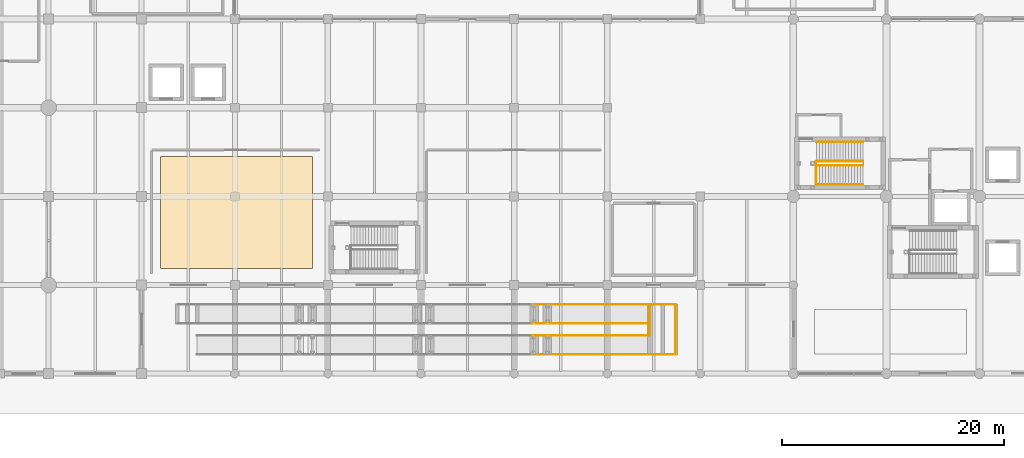
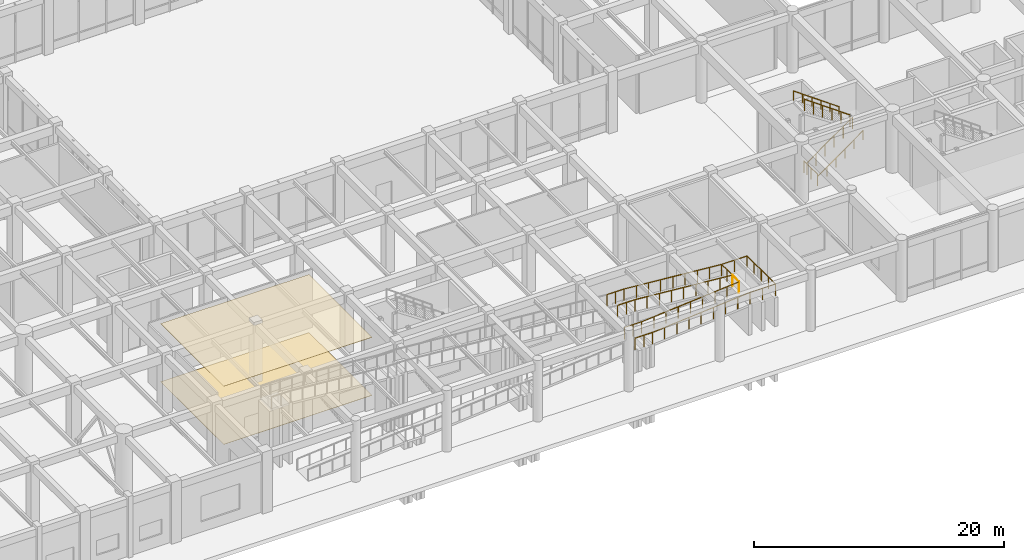
# One storey, part 70 of 76: 18 railings, 2 coverings.
"""IFC4 building model written with IfcOpenShell, lengths in metres."""

from ifc_helpers import new_model, si_unit, direction, frame, origin, origin_2d, place, context, subcontext, project, spatial, polyline, circle, outline, extrude, material, layer, layer_set, type_object, element, save


model = new_model("IFC4")

# Units and contexts
model_context = context("Model", 3, precision=1e-05, world=origin(), true_north=direction((0.0, 1.0)))
body_context = subcontext(model_context, "Body", "Model", "MODEL_VIEW")
ifc_project = project(units=[si_unit("LENGTHUNIT", "METRE"), si_unit("AREAUNIT", "SQUARE_METRE"), si_unit("VOLUMEUNIT", "CUBIC_METRE"), si_unit("PLANEANGLEUNIT", "RADIAN"), si_unit("MASSUNIT", "GRAM", prefix="KILO")], contexts=[model_context])

# Site, building, storey
site_placement = place(None, origin())
site = spatial("IfcSite", under=ifc_project, at=site_placement, CompositionType="ELEMENT")
building_placement = place(site_placement, origin())
building = spatial("IfcBuilding", under=site, at=building_placement, Name="Naruveol Harbour Congress Hotel", CompositionType="ELEMENT")
storey_placement = place(building_placement, origin())
storey = spatial("IfcBuildingStorey", under=building, at=storey_placement, Name="L00", CompositionType="ELEMENT", Elevation=0.0)

# Railings
ifc_material_1 = material(Name="Steel SN490", Category="steel")
ifc_layer_1 = layer(ifc_material_1, 0.050048828125)
ifc_layer_set_1 = layer_set([ifc_layer_1], Name="Steel SN490")
railing_type_1 = type_object("IfcRailingType", Name="GALVANISED STEEL DECK GUARDRAIL 1150", PredefinedType="GUARDRAIL", material=ifc_layer_set_1)
railing_1_placement = place(storey_placement, frame((94.0, 1.739990234375, 2.25)))
element("IfcRailing", 1, at=railing_1_placement, inside=storey, type_object=railing_type_1, Name="Ramp east run south guard #13", PredefinedType="GUARDRAIL", context=body_context, shape_type="SweptSolid", body=[
    extrude(circle(Radius=0.02392578125, at=origin_2d()), frame((0.0, 0.0, 1.1259765625), z_axis=(1.0, 0.0, 0.0), x_axis=(0.0, 1.0, 0.0)), (0.0, 0.0, 1.0), 1.60009765625),
    extrude(circle(Radius=0.02099609375, at=origin_2d()), origin(), (0.0, 0.0, 1.0), 1.101806640625),
    extrude(circle(Radius=0.02099609375, at=origin_2d()), frame((0.800048828125, 0.0, 0.0)), (0.0, 0.0, 1.0), 1.101806640625),
    extrude(circle(Radius=0.02099609375, at=origin_2d()), frame((1.60009765625, 0.0, 0.0)), (0.0, 0.0, 1.0), 1.101806640625),
])
railing_2_placement = place(storey_placement, frame((95.60009765625, 1.739990234375, 2.25)))
element("IfcRailing", 2, at=railing_2_placement, inside=storey, type_object=railing_type_1, Name="Ramp east run south guard #14", PredefinedType="GUARDRAIL", context=body_context, shape_type="SweptSolid", body=[
    extrude(circle(Radius=0.02392578125, at=origin_2d()), frame((0.0, 0.0, 1.1259765625), z_axis=(0.996545758245, 0.0, 0.083045479854), x_axis=(0.0, 1.0, 0.0)), (0.0, 0.0, 1.0), 9.03125),
    extrude(circle(Radius=0.02099609375, at=origin_2d()), origin(), (0.0, 0.0, 1.0), 1.101806640625),
    extrude(circle(Radius=0.02099609375, at=origin_2d()), frame((1.125, 0.0, 0.09375)), (0.0, 0.0, 1.0), 1.101806640625),
    extrude(circle(Radius=0.02099609375, at=origin_2d()), frame((2.25, 0.0, 0.1875)), (0.0, 0.0, 1.0), 1.101806640625),
    extrude(circle(Radius=0.02099609375, at=origin_2d()), frame((3.375, 0.0, 0.28125)), (0.0, 0.0, 1.0), 1.101806640625),
    extrude(circle(Radius=0.02099609375, at=origin_2d()), frame((4.5, 0.0, 0.375)), (0.0, 0.0, 1.0), 1.101806640625),
    extrude(circle(Radius=0.02099609375, at=origin_2d()), frame((5.625, 0.0, 0.46875)), (0.0, 0.0, 1.0), 1.101806640625),
    extrude(circle(Radius=0.02099609375, at=origin_2d()), frame((6.75, 0.0, 0.5625)), (0.0, 0.0, 1.0), 1.101806640625),
    extrude(circle(Radius=0.02099609375, at=origin_2d()), frame((7.875, 0.0, 0.65625)), (0.0, 0.0, 1.0), 1.101806640625),
    extrude(circle(Radius=0.02099609375, at=origin_2d()), frame((9.0, 0.0, 0.75)), (0.0, 0.0, 1.0), 1.101806640625),
])
railing_3_placement = place(storey_placement, frame((94.0, 3.4599609375, 2.25)))
element("IfcRailing", 3, at=railing_3_placement, inside=storey, type_object=railing_type_1, Name="Ramp east run inner guard #20", PredefinedType="GUARDRAIL", context=body_context, shape_type="SweptSolid", body=[
    extrude(circle(Radius=0.02392578125, at=origin_2d()), frame((0.0, 0.0, 1.1259765625), z_axis=(1.0, 0.0, 0.0), x_axis=(0.0, 1.0, 0.0)), (0.0, 0.0, 1.0), 1.60009765625),
    extrude(circle(Radius=0.02099609375, at=origin_2d()), origin(), (0.0, 0.0, 1.0), 1.101806640625),
    extrude(circle(Radius=0.02099609375, at=origin_2d()), frame((0.800048828125, 0.0, 0.0)), (0.0, 0.0, 1.0), 1.101806640625),
    extrude(circle(Radius=0.02099609375, at=origin_2d()), frame((1.60009765625, 0.0, 0.0)), (0.0, 0.0, 1.0), 1.101806640625),
])
railing_4_placement = place(storey_placement, frame((95.60009765625, 3.4599609375, 2.25)))
element("IfcRailing", 4, at=railing_4_placement, inside=storey, type_object=railing_type_1, Name="Ramp east run inner guard #21", PredefinedType="GUARDRAIL", context=body_context, shape_type="SweptSolid", body=[
    extrude(circle(Radius=0.02392578125, at=origin_2d()), frame((0.0, 0.0, 1.1259765625), z_axis=(0.996545758245, 0.0, 0.083045479854), x_axis=(0.0, 1.0, 0.0)), (0.0, 0.0, 1.0), 9.03125),
    extrude(circle(Radius=0.02099609375, at=origin_2d()), origin(), (0.0, 0.0, 1.0), 1.101806640625),
    extrude(circle(Radius=0.02099609375, at=origin_2d()), frame((1.125, 0.0, 0.09375)), (0.0, 0.0, 1.0), 1.101806640625),
    extrude(circle(Radius=0.02099609375, at=origin_2d()), frame((2.25, 0.0, 0.1875)), (0.0, 0.0, 1.0), 1.101806640625),
    extrude(circle(Radius=0.02099609375, at=origin_2d()), frame((3.375, 0.0, 0.28125)), (0.0, 0.0, 1.0), 1.101806640625),
    extrude(circle(Radius=0.02099609375, at=origin_2d()), frame((4.5, 0.0, 0.375)), (0.0, 0.0, 1.0), 1.101806640625),
    extrude(circle(Radius=0.02099609375, at=origin_2d()), frame((5.625, 0.0, 0.46875)), (0.0, 0.0, 1.0), 1.101806640625),
    extrude(circle(Radius=0.02099609375, at=origin_2d()), frame((6.75, 0.0, 0.5625)), (0.0, 0.0, 1.0), 1.101806640625),
    extrude(circle(Radius=0.02099609375, at=origin_2d()), frame((7.875, 0.0, 0.65625)), (0.0, 0.0, 1.0), 1.101806640625),
    extrude(circle(Radius=0.02099609375, at=origin_2d()), frame((9.0, 0.0, 0.75)), (0.0, 0.0, 1.0), 1.101806640625),
])
railing_5_placement = place(storey_placement, frame((104.60009765625, 1.739990234375, 3.0)))
element("IfcRailing", 5, at=railing_5_placement, inside=storey, type_object=railing_type_1, Name="Ramp mid-landing guard #22", PredefinedType="GUARDRAIL", context=body_context, shape_type="SweptSolid", body=[
    extrude(circle(Radius=0.02392578125, at=origin_2d()), frame((0.0, 0.0, 1.1259765625), z_axis=(1.0, 0.0, 0.0), x_axis=(0.0, 1.0, 0.0)), (0.0, 0.0, 1.0), 2.349853515625),
    extrude(circle(Radius=0.02099609375, at=origin_2d()), origin(), (0.0, 0.0, 1.0), 1.101806640625),
    extrude(circle(Radius=0.02099609375, at=origin_2d()), frame((1.1748046875, 0.0, 0.0)), (0.0, 0.0, 1.0), 1.101806640625),
    extrude(circle(Radius=0.02099609375, at=origin_2d()), frame((2.349853515625, 0.0, 0.0)), (0.0, 0.0, 1.0), 1.101806640625),
])
railing_6_placement = place(storey_placement, frame((106.949951171875, 1.739990234375, 3.0)))
element("IfcRailing", 6, at=railing_6_placement, inside=storey, type_object=railing_type_1, Name="Ramp mid-landing guard #23", PredefinedType="GUARDRAIL", context=body_context, shape_type="SweptSolid", body=[
    extrude(circle(Radius=0.02392578125, at=origin_2d()), frame((0.0, 0.0, 1.1259765625), z_axis=(0.0, 1.0, 0.0), x_axis=(-1.0, 0.0, 0.0)), (0.0, 0.0, 1.0), 4.52001953125),
    extrude(circle(Radius=0.02099609375, at=origin_2d()), origin(), (0.0, 0.0, 1.0), 1.101806640625),
    extrude(circle(Radius=0.02099609375, at=origin_2d()), frame((0.0, 1.1298828125, 0.0)), (0.0, 0.0, 1.0), 1.101806640625),
    extrude(circle(Radius=0.02099609375, at=origin_2d()), frame((0.0, 2.260009765625, 0.0)), (0.0, 0.0, 1.0), 1.101806640625),
    extrude(circle(Radius=0.02099609375, at=origin_2d()), frame((0.0, 3.39013671875, 0.0)), (0.0, 0.0, 1.0), 1.101806640625),
    extrude(circle(Radius=0.02099609375, at=origin_2d()), frame((0.0, 4.52001953125, 0.0)), (0.0, 0.0, 1.0), 1.101806640625),
])
railing_7_placement = place(storey_placement, frame((106.949951171875, 6.260009765625, 3.0)))
element("IfcRailing", 7, at=railing_7_placement, inside=storey, type_object=railing_type_1, Name="Ramp mid-landing guard #24", PredefinedType="GUARDRAIL", context=body_context, shape_type="SweptSolid", body=[
    extrude(circle(Radius=0.02392578125, at=origin_2d()), frame((0.0, 0.0, 1.1259765625), z_axis=(-1.0, 0.0, 0.0), x_axis=(0.0, -1.0, 0.0)), (0.0, 0.0, 1.0), 2.349853515625),
    extrude(circle(Radius=0.02099609375, at=origin_2d()), origin(), (0.0, 0.0, 1.0), 1.101806640625),
    extrude(circle(Radius=0.02099609375, at=origin_2d()), frame((-1.1748046875, 0.0, 0.0)), (0.0, 0.0, 1.0), 1.101806640625),
    extrude(circle(Radius=0.02099609375, at=origin_2d()), frame((-2.349853515625, 0.0, 0.0)), (0.0, 0.0, 1.0), 1.101806640625),
])
railing_8_placement = place(storey_placement, frame((104.60009765625, 6.260009765625, 3.0)))
element("IfcRailing", 8, at=railing_8_placement, inside=storey, type_object=railing_type_1, Name="Ramp mid-landing guard #25", PredefinedType="GUARDRAIL", context=body_context, shape_type="SweptSolid", body=[
    extrude(circle(Radius=0.02392578125, at=origin_2d()), frame((0.0, 0.0, 1.1259765625), z_axis=(0.0, -1.0, 0.0), x_axis=(1.0, 0.0, 0.0)), (0.0, 0.0, 1.0), 1.719970703125),
    extrude(circle(Radius=0.02099609375, at=origin_2d()), origin(), (0.0, 0.0, 1.0), 1.101806640625),
    extrude(circle(Radius=0.02099609375, at=origin_2d()), frame((0.0, -0.85986328125, 0.0)), (0.0, 0.0, 1.0), 1.101806640625),
    extrude(circle(Radius=0.02099609375, at=origin_2d()), frame((0.0, -1.719970703125, 0.0)), (0.0, 0.0, 1.0), 1.101806640625),
])
railing_9_placement = place(storey_placement, frame((104.60009765625, 4.5400390625, 3.0)))
element("IfcRailing", 9, at=railing_9_placement, inside=storey, type_object=railing_type_1, Name="Ramp mid-landing guard #26", PredefinedType="GUARDRAIL", context=body_context, shape_type="SweptSolid", body=[
    extrude(circle(Radius=0.02392578125, at=origin_2d()), frame((0.0, 0.0, 1.1259765625), z_axis=(0.0, -1.0, 0.0), x_axis=(1.0, 0.0, 0.0)), (0.0, 0.0, 1.0), 1.080078125),
    extrude(circle(Radius=0.02099609375, at=origin_2d()), origin(), (0.0, 0.0, 1.0), 1.101806640625),
    extrude(circle(Radius=0.02099609375, at=origin_2d()), frame((0.0, -1.080078125, 0.0)), (0.0, 0.0, 1.0), 1.101806640625),
])
railing_10_placement = place(storey_placement, frame((104.60009765625, 4.5400390625, 3.0)))
element("IfcRailing", 10, at=railing_10_placement, inside=storey, type_object=railing_type_1, Name="Ramp west run inner guard #27", PredefinedType="GUARDRAIL", context=body_context, shape_type="SweptSolid", body=[
    extrude(circle(Radius=0.02392578125, at=origin_2d()), frame((0.0, 0.0, 1.1259765625), z_axis=(-0.996545758245, 0.0, 0.083045479854), x_axis=(0.0, -1.0, 0.0)), (0.0, 0.0, 1.0), 9.03125),
    extrude(circle(Radius=0.02099609375, at=origin_2d()), origin(), (0.0, 0.0, 1.0), 1.101806640625),
    extrude(circle(Radius=0.02099609375, at=origin_2d()), frame((-1.125, 0.0, 0.09375)), (0.0, 0.0, 1.0), 1.101806640625),
    extrude(circle(Radius=0.02099609375, at=origin_2d()), frame((-2.25, 0.0, 0.1875)), (0.0, 0.0, 1.0), 1.101806640625),
    extrude(circle(Radius=0.02099609375, at=origin_2d()), frame((-3.375, 0.0, 0.28125)), (0.0, 0.0, 1.0), 1.101806640625),
    extrude(circle(Radius=0.02099609375, at=origin_2d()), frame((-4.5, 0.0, 0.375)), (0.0, 0.0, 1.0), 1.101806640625),
    extrude(circle(Radius=0.02099609375, at=origin_2d()), frame((-5.625, 0.0, 0.46875)), (0.0, 0.0, 1.0), 1.101806640625),
    extrude(circle(Radius=0.02099609375, at=origin_2d()), frame((-6.75, 0.0, 0.5625)), (0.0, 0.0, 1.0), 1.101806640625),
    extrude(circle(Radius=0.02099609375, at=origin_2d()), frame((-7.875, 0.0, 0.65625)), (0.0, 0.0, 1.0), 1.101806640625),
    extrude(circle(Radius=0.02099609375, at=origin_2d()), frame((-9.0, 0.0, 0.75)), (0.0, 0.0, 1.0), 1.101806640625),
])
railing_11_placement = place(storey_placement, frame((95.60009765625, 4.5400390625, 3.75)))
element("IfcRailing", 11, at=railing_11_placement, inside=storey, type_object=railing_type_1, Name="Ramp west run inner guard #28", PredefinedType="GUARDRAIL", context=body_context, shape_type="SweptSolid", body=[
    extrude(circle(Radius=0.02392578125, at=origin_2d()), frame((0.0, 0.0, 1.1259765625), z_axis=(-1.0, 0.0, 0.0), x_axis=(0.0, -1.0, 0.0)), (0.0, 0.0, 1.0), 1.60009765625),
    extrude(circle(Radius=0.02099609375, at=origin_2d()), origin(), (0.0, 0.0, 1.0), 1.101806640625),
    extrude(circle(Radius=0.02099609375, at=origin_2d()), frame((-0.800048828125, 0.0, 0.0)), (0.0, 0.0, 1.0), 1.101806640625),
    extrude(circle(Radius=0.02099609375, at=origin_2d()), frame((-1.60009765625, 0.0, 0.0)), (0.0, 0.0, 1.0), 1.101806640625),
])
railing_12_placement = place(storey_placement, frame((104.60009765625, 6.260009765625, 3.0)))
element("IfcRailing", 12, at=railing_12_placement, inside=storey, type_object=railing_type_1, Name="Ramp west run north guard #35", PredefinedType="GUARDRAIL", context=body_context, shape_type="SweptSolid", body=[
    extrude(circle(Radius=0.02392578125, at=origin_2d()), frame((0.0, 0.0, 1.1259765625), z_axis=(-0.996545758245, 0.0, 0.083045479854), x_axis=(0.0, -1.0, 0.0)), (0.0, 0.0, 1.0), 9.03125),
    extrude(circle(Radius=0.02099609375, at=origin_2d()), origin(), (0.0, 0.0, 1.0), 1.101806640625),
    extrude(circle(Radius=0.02099609375, at=origin_2d()), frame((-1.125, 0.0, 0.09375)), (0.0, 0.0, 1.0), 1.101806640625),
    extrude(circle(Radius=0.02099609375, at=origin_2d()), frame((-2.25, 0.0, 0.1875)), (0.0, 0.0, 1.0), 1.101806640625),
    extrude(circle(Radius=0.02099609375, at=origin_2d()), frame((-3.375, 0.0, 0.28125)), (0.0, 0.0, 1.0), 1.101806640625),
    extrude(circle(Radius=0.02099609375, at=origin_2d()), frame((-4.5, 0.0, 0.375)), (0.0, 0.0, 1.0), 1.101806640625),
    extrude(circle(Radius=0.02099609375, at=origin_2d()), frame((-5.625, 0.0, 0.46875)), (0.0, 0.0, 1.0), 1.101806640625),
    extrude(circle(Radius=0.02099609375, at=origin_2d()), frame((-6.75, 0.0, 0.5625)), (0.0, 0.0, 1.0), 1.101806640625),
    extrude(circle(Radius=0.02099609375, at=origin_2d()), frame((-7.875, 0.0, 0.65625)), (0.0, 0.0, 1.0), 1.101806640625),
    extrude(circle(Radius=0.02099609375, at=origin_2d()), frame((-9.0, 0.0, 0.75)), (0.0, 0.0, 1.0), 1.101806640625),
])
railing_13_placement = place(storey_placement, frame((95.60009765625, 6.260009765625, 3.75)))
element("IfcRailing", 13, at=railing_13_placement, inside=storey, type_object=railing_type_1, Name="Ramp west run north guard #36", PredefinedType="GUARDRAIL", context=body_context, shape_type="SweptSolid", body=[
    extrude(circle(Radius=0.02392578125, at=origin_2d()), frame((0.0, 0.0, 1.1259765625), z_axis=(-1.0, 0.0, 0.0), x_axis=(0.0, -1.0, 0.0)), (0.0, 0.0, 1.0), 1.60009765625),
    extrude(circle(Radius=0.02099609375, at=origin_2d()), origin(), (0.0, 0.0, 1.0), 1.101806640625),
    extrude(circle(Radius=0.02099609375, at=origin_2d()), frame((-0.800048828125, 0.0, 0.0)), (0.0, 0.0, 1.0), 1.101806640625),
    extrude(circle(Radius=0.02099609375, at=origin_2d()), frame((-1.60009765625, 0.0, 0.0)), (0.0, 0.0, 1.0), 1.101806640625),
])

# Covering
ifc_material_2 = material(Name="Polished Terrazzo & Engineered Oak", Category="stone")
ifc_layer_2 = layer(ifc_material_2, 0.02490234375)
ifc_layer_set_2 = layer_set([ifc_layer_2], Name="Polished Terrazzo & Engineered Oak")
covering_type_1 = type_object("IfcCoveringType", Name="POLISHED TERRAZZO AND OAK FLOORING 25", PredefinedType="FLOORING", material=ifc_layer_set_2)
covering_1_placement = place(storey_placement, origin())
element("IfcCovering", 14, at=covering_1_placement, inside=storey, type_object=covering_type_1, Name="Brasserie Acoustic Timber Flooring", PredefinedType="FLOORING", context=body_context, shape_type="SweptSolid", body=[
    extrude(outline(polyline([(60.5, 9.5), (74.199951171875, 9.5), (74.199951171875, 19.60009765625), (60.5, 19.60009765625), (60.5, 9.5)])), origin(), (0.0, 0.0, 1.0), 0.02490234375),
])

# Railings
ifc_material_3 = material(Name="Stainless Steel 304", Category="steel")
ifc_layer_3 = layer(ifc_material_3, 0.0419921875)
ifc_layer_set_3 = layer_set([ifc_layer_3], Name="Stainless Steel 304")
railing_type_2 = type_object("IfcRailingType", Name="STAIR WALL MOUNTED HANDRAIL 900", PredefinedType="HANDRAIL", material=ifc_layer_set_3)
railing_14_placement = place(storey_placement, frame((119.699951171875, 17.06005859375, 0.0)))
element("IfcRailing", 15, at=railing_14_placement, inside=storey, type_object=railing_type_2, Name="Stair ST3 L00 lower wall handrail", PredefinedType="HANDRAIL", context=body_context, shape_type="SweptSolid", body=[
    extrude(circle(Radius=0.02392578125, at=origin_2d()), frame((0.0, 0.0, 0.8759765625), z_axis=(0.813730275137, 0.0, 0.581242668191), x_axis=(0.0, 1.0, 0.0)), (0.0, 0.0, 1.0), 5.161376953125),
    extrude(circle(Radius=0.02099609375, at=origin_2d()), origin(), (0.0, 0.0, 1.0), 0.851806640625),
    extrude(circle(Radius=0.02099609375, at=origin_2d()), frame((0.840087890625, 0.0, 0.60009765625)), (0.0, 0.0, 1.0), 0.851806640625),
    extrude(circle(Radius=0.02099609375, at=origin_2d()), frame((1.679931640625, 0.0, 1.199951171875)), (0.0, 0.0, 1.0), 0.851806640625),
    extrude(circle(Radius=0.02099609375, at=origin_2d()), frame((2.52001953125, 0.0, 1.800048828125)), (0.0, 0.0, 1.0), 0.851806640625),
    extrude(circle(Radius=0.02099609375, at=origin_2d()), frame((3.35986328125, 0.0, 2.39990234375)), (0.0, 0.0, 1.0), 0.851806640625),
    extrude(circle(Radius=0.02099609375, at=origin_2d()), frame((4.199951171875, 0.0, 3.0)), (0.0, 0.0, 1.0), 0.851806640625),
])
railing_15_placement = place(storey_placement, frame((123.89990234375, 20.89990234375, 3.0)))
element("IfcRailing", 16, at=railing_15_placement, inside=storey, type_object=railing_type_2, Name="Stair ST3 L00 upper wall handrail", PredefinedType="HANDRAIL", context=body_context, shape_type="SweptSolid", body=[
    extrude(circle(Radius=0.02392578125, at=origin_2d()), frame((0.0, 0.0, 0.8759765625), z_axis=(-0.813730275137, 0.0, 0.581242668191), x_axis=(0.0, -1.0, 0.0)), (0.0, 0.0, 1.0), 5.161376953125),
    extrude(circle(Radius=0.02099609375, at=origin_2d()), origin(), (0.0, 0.0, 1.0), 0.851806640625),
    extrude(circle(Radius=0.02099609375, at=origin_2d()), frame((-0.840087890625, 0.0, 0.60009765625)), (0.0, 0.0, 1.0), 0.851806640625),
    extrude(circle(Radius=0.02099609375, at=origin_2d()), frame((-1.679931640625, 0.0, 1.199951171875)), (0.0, 0.0, 1.0), 0.851806640625),
    extrude(circle(Radius=0.02099609375, at=origin_2d()), frame((-2.52001953125, 0.0, 1.800048828125)), (0.0, 0.0, 1.0), 0.851806640625),
    extrude(circle(Radius=0.02099609375, at=origin_2d()), frame((-3.35986328125, 0.0, 2.39990234375)), (0.0, 0.0, 1.0), 0.851806640625),
    extrude(circle(Radius=0.02099609375, at=origin_2d()), frame((-4.199951171875, 0.0, 3.0)), (0.0, 0.0, 1.0), 0.851806640625),
])
ifc_material_4 = material(Name="Steel SN490", Category="steel")
ifc_layer_4 = layer(ifc_material_4, 0.044921875)
ifc_layer_set_4 = layer_set([ifc_layer_4], Name="Steel SN490")
railing_type_3 = type_object("IfcRailingType", Name="STAIRWELL STEEL GUARDRAIL 1150", PredefinedType="GUARDRAIL", material=ifc_layer_set_4)
railing_16_placement = place(storey_placement, frame((119.699951171875, 18.7900390625, 0.0)))
element("IfcRailing", 17, at=railing_16_placement, inside=storey, type_object=railing_type_3, Name="Stair ST3 L00 lower well guard", PredefinedType="GUARDRAIL", context=body_context, shape_type="SweptSolid", body=[
    extrude(circle(Radius=0.02392578125, at=origin_2d()), frame((0.0, 0.0, 1.1259765625), z_axis=(0.813730275137, 0.0, 0.581242668191), x_axis=(0.0, 1.0, 0.0)), (0.0, 0.0, 1.0), 5.161376953125),
    extrude(circle(Radius=0.02099609375, at=origin_2d()), origin(), (0.0, 0.0, 1.0), 1.101806640625),
    extrude(circle(Radius=0.02099609375, at=origin_2d()), frame((0.840087890625, 0.0, 0.60009765625)), (0.0, 0.0, 1.0), 1.101806640625),
    extrude(circle(Radius=0.02099609375, at=origin_2d()), frame((1.679931640625, 0.0, 1.199951171875)), (0.0, 0.0, 1.0), 1.101806640625),
    extrude(circle(Radius=0.02099609375, at=origin_2d()), frame((2.52001953125, 0.0, 1.800048828125)), (0.0, 0.0, 1.0), 1.101806640625),
    extrude(circle(Radius=0.02099609375, at=origin_2d()), frame((3.35986328125, 0.0, 2.39990234375)), (0.0, 0.0, 1.0), 1.101806640625),
    extrude(circle(Radius=0.02099609375, at=origin_2d()), frame((4.199951171875, 0.0, 3.0)), (0.0, 0.0, 1.0), 1.101806640625),
])
railing_17_placement = place(storey_placement, frame((123.89990234375, 19.169921875, 3.0)))
element("IfcRailing", 18, at=railing_17_placement, inside=storey, type_object=railing_type_3, Name="Stair ST3 L00 upper well guard", PredefinedType="GUARDRAIL", context=body_context, shape_type="SweptSolid", body=[
    extrude(circle(Radius=0.02392578125, at=origin_2d()), frame((0.0, 0.0, 1.1259765625), z_axis=(-0.813730275137, 0.0, 0.581242668191), x_axis=(0.0, -1.0, 0.0)), (0.0, 0.0, 1.0), 5.161376953125),
    extrude(circle(Radius=0.02099609375, at=origin_2d()), origin(), (0.0, 0.0, 1.0), 1.101806640625),
    extrude(circle(Radius=0.02099609375, at=origin_2d()), frame((-0.840087890625, 0.0, 0.60009765625)), (0.0, 0.0, 1.0), 1.101806640625),
    extrude(circle(Radius=0.02099609375, at=origin_2d()), frame((-1.679931640625, 0.0, 1.199951171875)), (0.0, 0.0, 1.0), 1.101806640625),
    extrude(circle(Radius=0.02099609375, at=origin_2d()), frame((-2.52001953125, 0.0, 1.800048828125)), (0.0, 0.0, 1.0), 1.101806640625),
    extrude(circle(Radius=0.02099609375, at=origin_2d()), frame((-3.35986328125, 0.0, 2.39990234375)), (0.0, 0.0, 1.0), 1.101806640625),
    extrude(circle(Radius=0.02099609375, at=origin_2d()), frame((-4.199951171875, 0.0, 3.0)), (0.0, 0.0, 1.0), 1.101806640625),
])
railing_18_placement = place(storey_placement, frame((119.659912109375, 17.02001953125, 0.0)))
element("IfcRailing", 19, at=railing_18_placement, inside=storey, type_object=railing_type_3, Name="Stair ST3 L00 landing well guard", PredefinedType="GUARDRAIL", context=body_context, shape_type="SweptSolid", body=[
    extrude(circle(Radius=0.02392578125, at=origin_2d()), frame((0.0, 0.0, 1.1259765625), z_axis=(0.0, 1.0, 0.0), x_axis=(-1.0, 0.0, 0.0)), (0.0, 0.0, 1.0), 2.14990234375),
    extrude(circle(Radius=0.02099609375, at=origin_2d()), origin(), (0.0, 0.0, 1.0), 1.101806640625),
    extrude(circle(Radius=0.02099609375, at=origin_2d()), frame((0.0, 1.074951171875, 0.0)), (0.0, 0.0, 1.0), 1.101806640625),
    extrude(circle(Radius=0.02099609375, at=origin_2d()), frame((0.0, 2.14990234375, 0.0)), (0.0, 0.0, 1.0), 1.101806640625),
])

# Covering
ifc_material_5 = material(Name="Acoustic Engineered Timber Slats", Category="wood")
ifc_layer_5 = layer(ifc_material_5, 0.034912109375)
ifc_layer_set_5 = layer_set([ifc_layer_5], Name="Acoustic Engineered Timber Slats")
covering_type_2 = type_object("IfcCoveringType", Name="SUSPENDED PERFORATED TIMBER ACOUSTIC CEILING 35", PredefinedType="CEILING", material=ifc_layer_set_5)
covering_2_placement = place(storey_placement, frame((0.0, 0.0, 5.6650390625)))
element("IfcCovering", 20, at=covering_2_placement, inside=storey, type_object=covering_type_2, Name="Brasserie Acoustic Timber Ceiling", PredefinedType="CEILING", context=body_context, shape_type="SweptSolid", body=[
    extrude(outline(polyline([(60.5, 9.5), (74.199951171875, 9.5), (74.199951171875, 19.60009765625), (60.5, 19.60009765625), (60.5, 9.5)])), origin(), (0.0, 0.0, 1.0), 0.034912109375),
])

save(model, "model.ifc")
